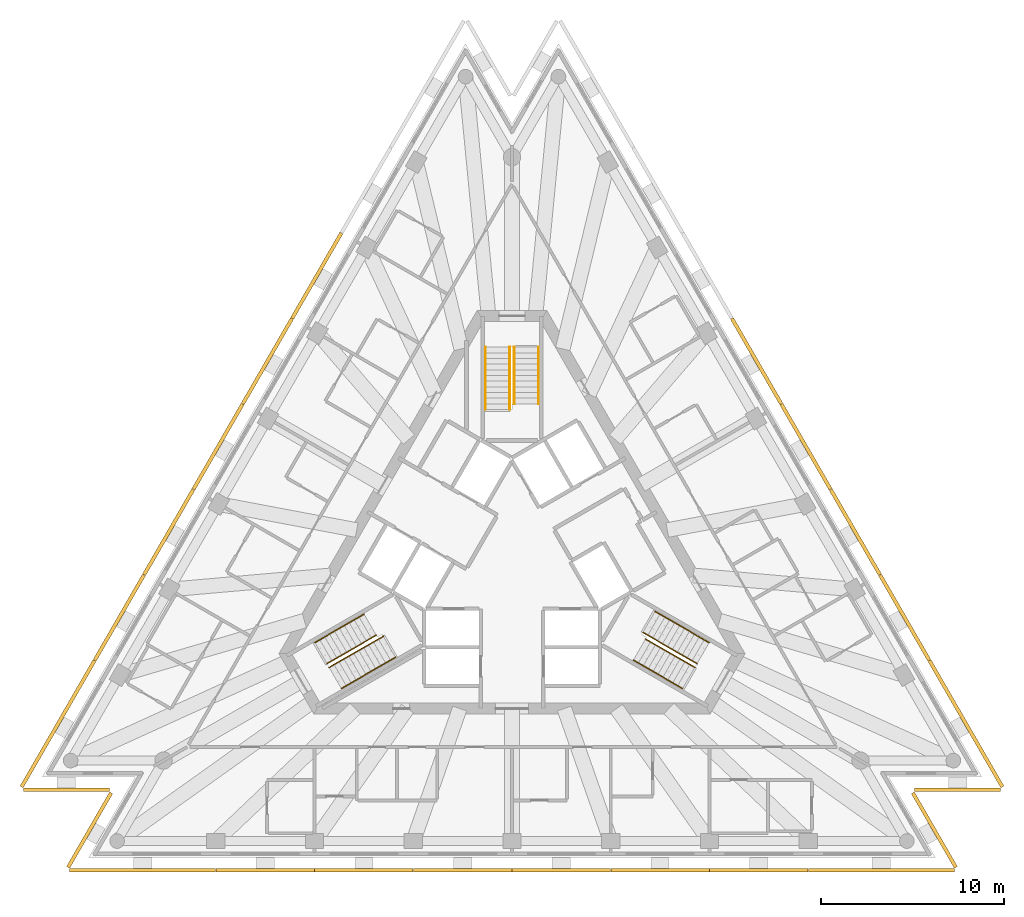
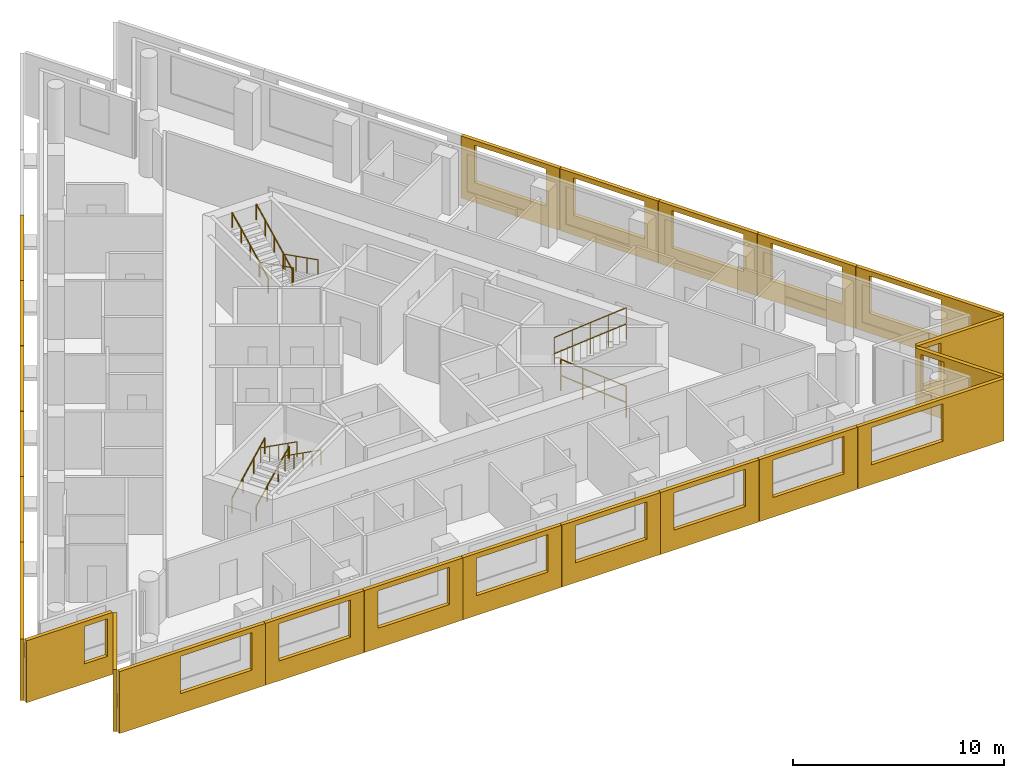
# One storey, part 9 of 10: 23 shading devices, 12 railings, 3 elements without a shape of their own.
"""IFC4 building model written with IfcOpenShell, lengths in metres."""

from ifc_helpers import new_model, si_unit, direction, frame, origin, origin_2d, place, context, subcontext, project, spatial, polyline, circle, outline, extrude, material, layer, layer_set, type_object, element, aggregate, save


model = new_model("IFC4")

# Units and contexts
model_context = context("Model", 3, precision=1e-05, world=origin(), true_north=direction((0.0, 1.0)))
body_context = subcontext(model_context, "Body", "Model", "MODEL_VIEW")
ifc_project = project(units=[si_unit("LENGTHUNIT", "METRE"), si_unit("AREAUNIT", "SQUARE_METRE"), si_unit("VOLUMEUNIT", "CUBIC_METRE"), si_unit("PLANEANGLEUNIT", "RADIAN"), si_unit("MASSUNIT", "GRAM", prefix="KILO")], contexts=[model_context])

# Site, building, storey
site_placement = place(None, origin())
site = spatial("IfcSite", under=ifc_project, at=site_placement, CompositionType="ELEMENT")
building_placement = place(site_placement, origin())
building = spatial("IfcBuilding", under=site, at=building_placement, Name="Triada Interchange Tower", CompositionType="ELEMENT")
storey_placement = place(building_placement, frame((0.0, 0.0, 297.10009765625)))
storey = spatial("IfcBuildingStorey", under=building, at=storey_placement, Name="L70", CompositionType="ELEMENT", Elevation=297.10009765625)

# Shading devices
ifc_material_1 = material(Name="Concrete C50/60 precast", Category="concrete")
ifc_layer_1 = layer(ifc_material_1, 0.02001953125, Name="Exposed aggregate face")
ifc_layer_2 = layer(ifc_material_1, 0.179931640625, Name="Precast concrete screen")
ifc_layer_set = layer_set([ifc_layer_1, ifc_layer_2], Name="Outer skin screen panel 3580")
shading_device_type = type_object("IfcShadingDeviceType", Name="Outer skin screen panel 3580", PredefinedType="SHUTTER", material=ifc_layer_set)
shading_device_1_placement = place(storey_placement, frame((-9.238037109375, 17.780029296875, -0.2900390625), z_axis=(0.0, 0.0, 1.0), x_axis=(-0.499920363698, -0.866071376943, 0.0)))
element("IfcShadingDevice", 1, at=shading_device_1_placement, inside=storey, type_object=shading_device_type, Name="Outer skin screen panel L70 03", PredefinedType="SHUTTER", context=body_context, shape_type="SweptSolid", body=[
    extrude(outline(polyline([(0.0, 0.0), (5.375, 0.0), (5.375, 3.579833984375), (0.0, 3.579833984375), (0.0, 0.0)]), holes=[polyline([(0.737548828125, 1.139892578125), (0.737548828125, 3.300048828125), (4.6376953125, 3.300048828125), (4.6376953125, 1.139892578125), (0.737548828125, 1.139892578125)])]), frame((0.0, 0.0, 0.0), z_axis=(0.0, -1.0, 0.0), x_axis=(1.0, 0.0, 0.0)), (0.0, 0.0, 1.0), 0.199951171875),
])
shading_device_2_placement = place(storey_placement, frame((-11.93505859375, 13.10791015625, -0.2900390625), z_axis=(0.0, 0.0, 1.0), x_axis=(-0.500018712038, -0.866014600115, 0.0)))
element("IfcShadingDevice", 2, at=shading_device_2_placement, inside=storey, type_object=shading_device_type, Name="Outer skin screen panel L70 04", PredefinedType="SHUTTER", context=body_context, shape_type="SweptSolid", body=[
    extrude(outline(polyline([(0.0, 0.0), (5.373779296875, 0.0), (5.373779296875, 3.579833984375), (0.0, 3.579833984375), (0.0, 0.0)]), holes=[polyline([(0.737060546875, 1.139892578125), (0.737060546875, 3.300048828125), (4.63720703125, 3.300048828125), (4.63720703125, 1.139892578125), (0.737060546875, 1.139892578125)])]), frame((0.0, 0.0, 0.0), z_axis=(0.0, -1.0, 0.0), x_axis=(1.0, 0.0, 0.0)), (0.0, 0.0, 1.0), 0.199951171875),
])
shading_device_3_placement = place(storey_placement, frame((-14.632080078125, 8.43603515625, -0.2900390625), z_axis=(0.0, 0.0, 1.0), x_axis=(-0.49999903979, -0.866025958161, 0.0)))
element("IfcShadingDevice", 3, at=shading_device_3_placement, inside=storey, type_object=shading_device_type, Name="Outer skin screen panel L70 05", PredefinedType="SHUTTER", context=body_context, shape_type="SweptSolid", body=[
    extrude(outline(polyline([(0.0, 0.0), (5.3740234375, 0.0), (5.3740234375, 3.579833984375), (0.0, 3.579833984375), (0.0, 0.0)]), holes=[polyline([(0.737548828125, 1.139892578125), (0.737548828125, 3.300048828125), (4.6376953125, 3.300048828125), (4.6376953125, 1.139892578125), (0.737548828125, 1.139892578125)])]), frame((0.0, 0.0, 0.0), z_axis=(0.0, -1.0, 0.0), x_axis=(1.0, 0.0, 0.0)), (0.0, 0.0, 1.0), 0.199951171875),
])
shading_device_4_placement = place(storey_placement, frame((-17.3291015625, 3.764892578125, -0.2900390625), z_axis=(0.0, 0.0, 1.0), x_axis=(-0.500076296064, -0.86598134975, 0.0)))
element("IfcShadingDevice", 4, at=shading_device_4_placement, inside=storey, type_object=shading_device_type, Name="Outer skin screen panel L70 06", PredefinedType="SHUTTER", context=body_context, shape_type="SweptSolid", body=[
    extrude(outline(polyline([(0.0, 0.0), (5.375244140625, 0.0), (5.375244140625, 3.579833984375), (0.0, 3.579833984375), (0.0, 0.0)]), holes=[polyline([(0.737060546875, 1.139892578125), (0.737060546875, 3.300048828125), (4.63720703125, 3.300048828125), (4.63720703125, 1.139892578125), (0.737060546875, 1.139892578125)])]), frame((0.0, 0.0, 0.0), z_axis=(0.0, -1.0, 0.0), x_axis=(1.0, 0.0, 0.0)), (0.0, 0.0, 1.0), 0.199951171875),
])
shading_device_5_placement = place(storey_placement, frame((-20.027099609375, -0.906982421875, -0.2900390625), z_axis=(0.0, 0.0, 1.0), x_axis=(-0.499920363698, -0.866071376943, 0.0)))
element("IfcShadingDevice", 5, at=shading_device_5_placement, inside=storey, type_object=shading_device_type, Name="Outer skin screen panel L70 07", PredefinedType="SHUTTER", context=body_context, shape_type="SweptSolid", body=[
    extrude(outline(polyline([(0.0, 0.0), (5.375, 0.0), (5.375, 3.579833984375), (0.0, 3.579833984375), (0.0, 0.0)]), holes=[polyline([(0.737548828125, 1.139892578125), (0.737548828125, 3.300048828125), (4.6376953125, 3.300048828125), (4.6376953125, 1.139892578125), (0.737548828125, 1.139892578125)])]), frame((0.0, 0.0, 0.0), z_axis=(0.0, -1.0, 0.0), x_axis=(1.0, 0.0, 0.0)), (0.0, 0.0, 1.0), 0.199951171875),
])
shading_device_6_placement = place(storey_placement, frame((-22.72412109375, -5.5791015625, -0.2900390625), z_axis=(0.0, 0.0, 1.0), x_axis=(-0.49999285859, -0.86602952684, 0.0)))
element("IfcShadingDevice", 6, at=shading_device_6_placement, inside=storey, type_object=shading_device_type, Name="Outer skin screen panel L70 08", PredefinedType="SHUTTER", context=body_context, shape_type="SweptSolid", body=[
    extrude(outline(polyline([(0.0, 0.0), (7.9716796875, 0.0), (7.9716796875, 3.579833984375), (0.0, 3.579833984375), (0.0, 0.0)]), holes=[polyline([(0.7373046875, 1.139892578125), (0.7373046875, 3.300048828125), (4.63720703125, 3.300048828125), (4.63720703125, 1.139892578125), (0.7373046875, 1.139892578125)])]), frame((0.0, 0.0, 0.0), z_axis=(0.0, -1.0, 0.0), x_axis=(1.0, 0.0, 0.0)), (0.0, 0.0, 1.0), 0.199951171875),
])
shading_device_7_placement = place(storey_placement, frame((-26.705078125, -12.491943359375, -0.2900390625), z_axis=(0.0, 0.0, 1.0), x_axis=(1.0, 0.0, 0.0)))
element("IfcShadingDevice", 7, at=shading_device_7_placement, inside=storey, type_object=shading_device_type, Name="Outer skin screen panel L70 09", PredefinedType="SHUTTER", context=body_context, shape_type="SweptSolid", body=[
    extrude(outline(polyline([(0.0, 0.0), (4.712158203125, 0.0), (4.712158203125, 3.579833984375), (0.0, 3.579833984375), (0.0, 0.0)]), holes=[polyline([(3.175048828125, 1.139892578125), (3.175048828125, 3.300048828125), (4.412109375, 3.300048828125), (4.412109375, 1.139892578125), (3.175048828125, 1.139892578125)])]), frame((0.0, 0.0, 0.0), z_axis=(0.0, -1.0, 0.0), x_axis=(1.0, 0.0, 0.0)), (0.0, 0.0, 1.0), 0.199951171875),
])
shading_device_8_placement = place(storey_placement, frame((-21.81396484375, -12.801025390625, -0.2900390625), z_axis=(0.0, 0.0, 1.0), x_axis=(-0.500051389167, -0.865995732202, 0.0)))
element("IfcShadingDevice", 8, at=shading_device_8_placement, inside=storey, type_object=shading_device_type, Name="Outer skin screen panel L70 10", PredefinedType="SHUTTER", context=body_context, shape_type="SweptSolid", body=[
    extrude(outline(polyline([(0.0, 0.0), (4.71142578125, 0.0), (4.71142578125, 3.579833984375), (0.0, 3.579833984375), (0.0, 0.0)]), holes=[polyline([(0.300048828125, 1.139892578125), (0.300048828125, 3.300048828125), (1.258056640625, 3.300048828125), (1.258056640625, 1.139892578125), (0.300048828125, 1.139892578125)])]), frame((0.0, 0.0, 0.0), z_axis=(0.0, -1.0, 0.0), x_axis=(1.0, 0.0, 0.0)), (0.0, 0.0, 1.0), 0.199951171875),
])
shading_device_9_placement = place(storey_placement, frame((-24.1650390625, -16.889892578125, -0.2900390625), z_axis=(0.0, 0.0, 1.0), x_axis=(1.0, 0.0, 0.0)))
element("IfcShadingDevice", 9, at=shading_device_9_placement, inside=storey, type_object=shading_device_type, Name="Outer skin screen panel L70 11", PredefinedType="SHUTTER", context=body_context, shape_type="SweptSolid", body=[
    extrude(outline(polyline([(0.0, 0.0), (7.971923828125, 0.0), (7.971923828125, 3.579833984375), (0.0, 3.579833984375), (0.0, 0.0)]), holes=[polyline([(3.3349609375, 1.139892578125), (3.3349609375, 3.300048828125), (7.235107421875, 3.300048828125), (7.235107421875, 1.139892578125), (3.3349609375, 1.139892578125)])]), frame((0.0, 0.0, 0.0), z_axis=(0.0, -1.0, 0.0), x_axis=(1.0, 0.0, 0.0)), (0.0, 0.0, 1.0), 0.199951171875),
])
shading_device_10_placement = place(storey_placement, frame((-16.173095703125, -16.889892578125, -0.2900390625), z_axis=(0.0, 0.0, 1.0), x_axis=(1.0, 0.0, 0.0)))
element("IfcShadingDevice", 10, at=shading_device_10_placement, inside=storey, type_object=shading_device_type, Name="Outer skin screen panel L70 12", PredefinedType="SHUTTER", context=body_context, shape_type="SweptSolid", body=[
    extrude(outline(polyline([(0.0, 0.0), (5.375, 0.0), (5.375, 3.579833984375), (0.0, 3.579833984375), (0.0, 0.0)]), holes=[polyline([(0.73681640625, 1.139892578125), (0.73681640625, 3.300048828125), (4.63671875, 3.300048828125), (4.63671875, 1.139892578125), (0.73681640625, 1.139892578125)])]), frame((0.0, 0.0, 0.0), z_axis=(0.0, -1.0, 0.0), x_axis=(1.0, 0.0, 0.0)), (0.0, 0.0, 1.0), 0.199951171875),
])
shading_device_11_placement = place(storey_placement, frame((-10.779052734375, -16.889892578125, -0.2900390625), z_axis=(0.0, 0.0, 1.0), x_axis=(1.0, 0.0, 0.0)))
element("IfcShadingDevice", 11, at=shading_device_11_placement, inside=storey, type_object=shading_device_type, Name="Outer skin screen panel L70 13", PredefinedType="SHUTTER", context=body_context, shape_type="SweptSolid", body=[
    extrude(outline(polyline([(0.0, 0.0), (5.375, 0.0), (5.375, 3.579833984375), (0.0, 3.579833984375), (0.0, 0.0)]), holes=[polyline([(0.737548828125, 1.139892578125), (0.737548828125, 3.300048828125), (4.637451171875, 3.300048828125), (4.637451171875, 1.139892578125), (0.737548828125, 1.139892578125)])]), frame((0.0, 0.0, 0.0), z_axis=(0.0, -1.0, 0.0), x_axis=(1.0, 0.0, 0.0)), (0.0, 0.0, 1.0), 0.199951171875),
])
shading_device_12_placement = place(storey_placement, frame((-5.384033203125, -16.889892578125, -0.2900390625), z_axis=(0.0, 0.0, 1.0), x_axis=(1.0, 0.0, 0.0)))
element("IfcShadingDevice", 12, at=shading_device_12_placement, inside=storey, type_object=shading_device_type, Name="Outer skin screen panel L70 14", PredefinedType="SHUTTER", context=body_context, shape_type="SweptSolid", body=[
    extrude(outline(polyline([(0.0, 0.0), (5.3740234375, 0.0), (5.3740234375, 3.579833984375), (0.0, 3.579833984375), (0.0, 0.0)]), holes=[polyline([(0.7373046875, 1.139892578125), (0.7373046875, 3.300048828125), (4.63720703125, 3.300048828125), (4.63720703125, 1.139892578125), (0.7373046875, 1.139892578125)])]), frame((0.0, 0.0, 0.0), z_axis=(0.0, -1.0, 0.0), x_axis=(1.0, 0.0, 0.0)), (0.0, 0.0, 1.0), 0.199951171875),
])
shading_device_13_placement = place(storey_placement, frame((0.010009765625, -16.889892578125, -0.2900390625), z_axis=(0.0, 0.0, 1.0), x_axis=(1.0, 0.0, 0.0)))
element("IfcShadingDevice", 13, at=shading_device_13_placement, inside=storey, type_object=shading_device_type, Name="Outer skin screen panel L70 15", PredefinedType="SHUTTER", context=body_context, shape_type="SweptSolid", body=[
    extrude(outline(polyline([(0.0, 0.0), (5.3740234375, 0.0), (5.3740234375, 3.579833984375), (0.0, 3.579833984375), (0.0, 0.0)]), holes=[polyline([(0.737060546875, 1.139892578125), (0.737060546875, 3.300048828125), (4.636962890625, 3.300048828125), (4.636962890625, 1.139892578125), (0.737060546875, 1.139892578125)])]), frame((0.0, 0.0, 0.0), z_axis=(0.0, -1.0, 0.0), x_axis=(1.0, 0.0, 0.0)), (0.0, 0.0, 1.0), 0.199951171875),
])
shading_device_14_placement = place(storey_placement, frame((5.404052734375, -16.889892578125, -0.2900390625), z_axis=(0.0, 0.0, 1.0), x_axis=(1.0, 0.0, 0.0)))
element("IfcShadingDevice", 14, at=shading_device_14_placement, inside=storey, type_object=shading_device_type, Name="Outer skin screen panel L70 16", PredefinedType="SHUTTER", context=body_context, shape_type="SweptSolid", body=[
    extrude(outline(polyline([(0.0, 0.0), (5.375, 0.0), (5.375, 3.579833984375), (0.0, 3.579833984375), (0.0, 0.0)]), holes=[polyline([(0.73681640625, 1.139892578125), (0.73681640625, 3.300048828125), (4.63671875, 3.300048828125), (4.63671875, 1.139892578125), (0.73681640625, 1.139892578125)])]), frame((0.0, 0.0, 0.0), z_axis=(0.0, -1.0, 0.0), x_axis=(1.0, 0.0, 0.0)), (0.0, 0.0, 1.0), 0.199951171875),
])
shading_device_15_placement = place(storey_placement, frame((10.798095703125, -16.889892578125, -0.2900390625), z_axis=(0.0, 0.0, 1.0), x_axis=(1.0, 0.0, 0.0)))
element("IfcShadingDevice", 15, at=shading_device_15_placement, inside=storey, type_object=shading_device_type, Name="Outer skin screen panel L70 17", PredefinedType="SHUTTER", context=body_context, shape_type="SweptSolid", body=[
    extrude(outline(polyline([(0.0, 0.0), (5.375, 0.0), (5.375, 3.579833984375), (0.0, 3.579833984375), (0.0, 0.0)]), holes=[polyline([(0.737548828125, 1.139892578125), (0.737548828125, 3.300048828125), (4.637451171875, 3.300048828125), (4.637451171875, 1.139892578125), (0.737548828125, 1.139892578125)])]), frame((0.0, 0.0, 0.0), z_axis=(0.0, -1.0, 0.0), x_axis=(1.0, 0.0, 0.0)), (0.0, 0.0, 1.0), 0.199951171875),
])
shading_device_16_placement = place(storey_placement, frame((16.193115234375, -16.889892578125, -0.2900390625), z_axis=(0.0, 0.0, 1.0), x_axis=(1.0, 0.0, 0.0)))
element("IfcShadingDevice", 16, at=shading_device_16_placement, inside=storey, type_object=shading_device_type, Name="Outer skin screen panel L70 18", PredefinedType="SHUTTER", context=body_context, shape_type="SweptSolid", body=[
    extrude(outline(polyline([(0.0, 0.0), (7.971923828125, 0.0), (7.971923828125, 3.579833984375), (0.0, 3.579833984375), (0.0, 0.0)]), holes=[polyline([(0.7373046875, 1.139892578125), (0.7373046875, 3.300048828125), (4.63720703125, 3.300048828125), (4.63720703125, 1.139892578125), (0.7373046875, 1.139892578125)])]), frame((0.0, 0.0, 0.0), z_axis=(0.0, -1.0, 0.0), x_axis=(1.0, 0.0, 0.0)), (0.0, 0.0, 1.0), 0.199951171875),
])
shading_device_17_placement = place(storey_placement, frame((24.169921875, -16.881103515625, -0.2900390625), z_axis=(0.0, 0.0, 1.0), x_axis=(-0.500051389167, 0.865995732202, 0.0)))
element("IfcShadingDevice", 17, at=shading_device_17_placement, inside=storey, type_object=shading_device_type, Name="Outer skin screen panel L70 19", PredefinedType="SHUTTER", context=body_context, shape_type="SweptSolid", body=[
    extrude(outline(polyline([(0.0, 0.0), (4.71142578125, 0.0), (4.71142578125, 3.579833984375), (0.0, 3.579833984375), (0.0, 0.0)]), holes=[polyline([(3.17529296875, 1.139892578125), (3.17529296875, 3.300048828125), (4.41162109375, 3.300048828125), (4.41162109375, 1.139892578125), (3.17529296875, 1.139892578125)])]), frame((0.0, 0.0, 0.0), z_axis=(0.0, -1.0, 0.0), x_axis=(1.0, 0.0, 0.0)), (0.0, 0.0, 1.0), 0.199951171875),
])
shading_device_18_placement = place(storey_placement, frame((21.992919921875, -12.491943359375, -0.2900390625), z_axis=(0.0, 0.0, 1.0), x_axis=(1.0, 0.0, 0.0)))
element("IfcShadingDevice", 18, at=shading_device_18_placement, inside=storey, type_object=shading_device_type, Name="Outer skin screen panel L70 20", PredefinedType="SHUTTER", context=body_context, shape_type="SweptSolid", body=[
    extrude(outline(polyline([(0.0, 0.0), (4.712158203125, 0.0), (4.712158203125, 3.579833984375), (0.0, 3.579833984375), (0.0, 0.0)]), holes=[polyline([(0.300048828125, 1.139892578125), (0.300048828125, 3.300048828125), (1.258056640625, 3.300048828125), (1.258056640625, 1.139892578125), (0.300048828125, 1.139892578125)])]), frame((0.0, 0.0, 0.0), z_axis=(0.0, -1.0, 0.0), x_axis=(1.0, 0.0, 0.0)), (0.0, 0.0, 1.0), 0.199951171875),
])
shading_device_19_placement = place(storey_placement, frame((26.7099609375, -12.48291015625, -0.2900390625), z_axis=(0.0, 0.0, 1.0), x_axis=(-0.49999285859, 0.86602952684, 0.0)))
element("IfcShadingDevice", 19, at=shading_device_19_placement, inside=storey, type_object=shading_device_type, Name="Outer skin screen panel L70 21", PredefinedType="SHUTTER", context=body_context, shape_type="SweptSolid", body=[
    extrude(outline(polyline([(0.0, 0.0), (7.9716796875, 0.0), (7.9716796875, 3.579833984375), (0.0, 3.579833984375), (0.0, 0.0)]), holes=[polyline([(3.335205078125, 1.139892578125), (3.335205078125, 3.300048828125), (7.2353515625, 3.300048828125), (7.2353515625, 1.139892578125), (3.335205078125, 1.139892578125)])]), frame((0.0, 0.0, 0.0), z_axis=(0.0, -1.0, 0.0), x_axis=(1.0, 0.0, 0.0)), (0.0, 0.0, 1.0), 0.199951171875),
])
shading_device_20_placement = place(storey_placement, frame((22.714111328125, -5.56201171875, -0.2900390625), z_axis=(0.0, 0.0, 1.0), x_axis=(-0.499920363698, 0.866071376943, 0.0)))
element("IfcShadingDevice", 20, at=shading_device_20_placement, inside=storey, type_object=shading_device_type, Name="Outer skin screen panel L70 22", PredefinedType="SHUTTER", context=body_context, shape_type="SweptSolid", body=[
    extrude(outline(polyline([(0.0, 0.0), (5.375, 0.0), (5.375, 3.579833984375), (0.0, 3.579833984375), (0.0, 0.0)]), holes=[polyline([(0.73681640625, 1.139892578125), (0.73681640625, 3.300048828125), (4.63671875, 3.300048828125), (4.63671875, 1.139892578125), (0.73681640625, 1.139892578125)])]), frame((0.0, 0.0, 0.0), z_axis=(0.0, -1.0, 0.0), x_axis=(1.0, 0.0, 0.0)), (0.0, 0.0, 1.0), 0.199951171875),
])
shading_device_21_placement = place(storey_placement, frame((20.01708984375, -0.889892578125, -0.2900390625), z_axis=(0.0, 0.0, 1.0), x_axis=(-0.500076296064, 0.86598134975, 0.0)))
element("IfcShadingDevice", 21, at=shading_device_21_placement, inside=storey, type_object=shading_device_type, Name="Outer skin screen panel L70 23", PredefinedType="SHUTTER", context=body_context, shape_type="SweptSolid", body=[
    extrude(outline(polyline([(0.0, 0.0), (5.375244140625, 0.0), (5.375244140625, 3.579833984375), (0.0, 3.579833984375), (0.0, 0.0)]), holes=[polyline([(0.7373046875, 1.139892578125), (0.7373046875, 3.300048828125), (4.63720703125, 3.300048828125), (4.63720703125, 1.139892578125), (0.7373046875, 1.139892578125)])]), frame((0.0, 0.0, 0.0), z_axis=(0.0, -1.0, 0.0), x_axis=(1.0, 0.0, 0.0)), (0.0, 0.0, 1.0), 0.199951171875),
])
shading_device_22_placement = place(storey_placement, frame((17.319091796875, 3.781982421875, -0.2900390625), z_axis=(0.0, 0.0, 1.0), x_axis=(-0.49999903979, 0.866025958161, 0.0)))
element("IfcShadingDevice", 22, at=shading_device_22_placement, inside=storey, type_object=shading_device_type, Name="Outer skin screen panel L70 24", PredefinedType="SHUTTER", context=body_context, shape_type="SweptSolid", body=[
    extrude(outline(polyline([(0.0, 0.0), (5.3740234375, 0.0), (5.3740234375, 3.579833984375), (0.0, 3.579833984375), (0.0, 0.0)]), holes=[polyline([(0.73681640625, 1.139892578125), (0.73681640625, 3.300048828125), (4.63671875, 3.300048828125), (4.63671875, 1.139892578125), (0.73681640625, 1.139892578125)])]), frame((0.0, 0.0, 0.0), z_axis=(0.0, -1.0, 0.0), x_axis=(1.0, 0.0, 0.0)), (0.0, 0.0, 1.0), 0.199951171875),
])
shading_device_23_placement = place(storey_placement, frame((14.6220703125, 8.4541015625, -0.2900390625), z_axis=(0.0, 0.0, 1.0), x_axis=(-0.500018712038, 0.866014600115, 0.0)))
element("IfcShadingDevice", 23, at=shading_device_23_placement, inside=storey, type_object=shading_device_type, Name="Outer skin screen panel L70 25", PredefinedType="SHUTTER", context=body_context, shape_type="SweptSolid", body=[
    extrude(outline(polyline([(0.0, 0.0), (5.373779296875, 0.0), (5.373779296875, 3.579833984375), (0.0, 3.579833984375), (0.0, 0.0)]), holes=[polyline([(0.7373046875, 1.139892578125), (0.7373046875, 3.300048828125), (4.63720703125, 3.300048828125), (4.63720703125, 1.139892578125), (0.7373046875, 1.139892578125)])]), frame((0.0, 0.0, 0.0), z_axis=(0.0, -1.0, 0.0), x_axis=(1.0, 0.0, 0.0)), (0.0, 0.0, 1.0), 0.199951171875),
])

# Stair, railings
ifc_material_2 = material(Name="Concrete C35/45", Category="concrete")
stair_type = type_object("IfcStairType", Name="HALF TURN STAIR 1400", PredefinedType="HALF_TURN_STAIR", material=ifc_material_2)
stair_1_placement = place(storey_placement, origin())
stair_1 = element("IfcStair", 24, at=stair_1_placement, inside=storey, type_object=stair_type, Name="Exit stair S68-1", PredefinedType="HALF_TURN_STAIR")
ifc_material_3 = material(Name="Stainless steel 1.4301", Category="steel")
railing_type = type_object("IfcRailingType", Name="STAIR HANDRAIL 900", PredefinedType="HANDRAIL", material=ifc_material_3)
railing_1_placement = place(storey_placement, frame((1.449951171875, 11.60009765625, 0.156494140625)))
railing_1 = element("IfcRailing", 25, at=railing_1_placement, type_object=railing_type, Name="Handrail S68-1 1W", PredefinedType="HANDRAIL", context=body_context, shape_type="SweptSolid", body=[
    extrude(circle(Radius=0.02392578125, at=origin_2d()), frame((0.0, 0.0, 0.8759765625), z_axis=(0.0, -0.89267693942, 0.450697106522), x_axis=(1.0, 0.0, 0.0)), (0.0, 0.0, 1.0), 3.472900390625),
    extrude(circle(Radius=0.02099609375, at=origin_2d()), origin(), (0.0, 0.0, 1.0), 0.851806640625),
    extrude(circle(Radius=0.02099609375, at=origin_2d()), frame((0.0, -1.033447265625, 0.521728515625)), (0.0, 0.0, 1.0), 0.851806640625),
    extrude(circle(Radius=0.02099609375, at=origin_2d()), frame((0.0, -2.066650390625, 1.04345703125)), (0.0, 0.0, 1.0), 0.851806640625),
    extrude(circle(Radius=0.02099609375, at=origin_2d()), frame((0.0, -3.10009765625, 1.565185546875)), (0.0, 0.0, 1.0), 0.851806640625),
])
railing_2_placement = place(storey_placement, frame((0.1201171875, 11.60009765625, 0.156494140625)))
railing_2 = element("IfcRailing", 26, at=railing_2_placement, type_object=railing_type, Name="Handrail S68-1 1C", PredefinedType="HANDRAIL", context=body_context, shape_type="SweptSolid", body=[
    extrude(circle(Radius=0.02392578125, at=origin_2d()), frame((0.0, 0.0, 0.8759765625), z_axis=(0.0, -0.89267693942, 0.450697106522), x_axis=(1.0, 0.0, 0.0)), (0.0, 0.0, 1.0), 3.472900390625),
    extrude(circle(Radius=0.02099609375, at=origin_2d()), origin(), (0.0, 0.0, 1.0), 0.851806640625),
    extrude(circle(Radius=0.02099609375, at=origin_2d()), frame((0.0, -1.033447265625, 0.521728515625)), (0.0, 0.0, 1.0), 0.851806640625),
    extrude(circle(Radius=0.02099609375, at=origin_2d()), frame((0.0, -2.066650390625, 1.04345703125)), (0.0, 0.0, 1.0), 0.851806640625),
    extrude(circle(Radius=0.02099609375, at=origin_2d()), frame((0.0, -3.10009765625, 1.565185546875)), (0.0, 0.0, 1.0), 0.851806640625),
])
railing_3_placement = place(storey_placement, frame((-1.449951171875, 8.18994140625, 1.878173828125)))
railing_3 = element("IfcRailing", 27, at=railing_3_placement, type_object=railing_type, Name="Handrail S68-1 2W", PredefinedType="HANDRAIL", context=body_context, shape_type="SweptSolid", body=[
    extrude(circle(Radius=0.02392578125, at=origin_2d()), frame((0.0, 0.0, 0.8759765625), z_axis=(0.0, 0.892682106939, 0.450686871287), x_axis=(-1.0, 0.0, 0.0)), (0.0, 0.0, 1.0), 3.820068359375),
    extrude(circle(Radius=0.02099609375, at=origin_2d()), origin(), (0.0, 0.0, 1.0), 0.851806640625),
    extrude(circle(Radius=0.02099609375, at=origin_2d()), frame((0.0, 0.8525390625, 0.430419921875)), (0.0, 0.0, 1.0), 0.851806640625),
    extrude(circle(Radius=0.02099609375, at=origin_2d()), frame((0.0, 1.705078125, 0.86083984375)), (0.0, 0.0, 1.0), 0.851806640625),
    extrude(circle(Radius=0.02099609375, at=origin_2d()), frame((0.0, 2.5576171875, 1.291259765625)), (0.0, 0.0, 1.0), 0.851806640625),
    extrude(circle(Radius=0.02099609375, at=origin_2d()), frame((0.0, 3.41015625, 1.7216796875)), (0.0, 0.0, 1.0), 0.851806640625),
])
railing_4_placement = place(storey_placement, frame((-0.1201171875, 8.18994140625, 1.878173828125)))
railing_4 = element("IfcRailing", 28, at=railing_4_placement, type_object=railing_type, Name="Handrail S68-1 2C", PredefinedType="HANDRAIL", context=body_context, shape_type="SweptSolid", body=[
    extrude(circle(Radius=0.02392578125, at=origin_2d()), frame((0.0, 0.0, 0.8759765625), z_axis=(0.0, 0.892682106939, 0.450686871287), x_axis=(-1.0, 0.0, 0.0)), (0.0, 0.0, 1.0), 3.820068359375),
    extrude(circle(Radius=0.02099609375, at=origin_2d()), origin(), (0.0, 0.0, 1.0), 0.851806640625),
    extrude(circle(Radius=0.02099609375, at=origin_2d()), frame((0.0, 0.8525390625, 0.430419921875)), (0.0, 0.0, 1.0), 0.851806640625),
    extrude(circle(Radius=0.02099609375, at=origin_2d()), frame((0.0, 1.705078125, 0.86083984375)), (0.0, 0.0, 1.0), 0.851806640625),
    extrude(circle(Radius=0.02099609375, at=origin_2d()), frame((0.0, 2.5576171875, 1.291259765625)), (0.0, 0.0, 1.0), 0.851806640625),
    extrude(circle(Radius=0.02099609375, at=origin_2d()), frame((0.0, 3.41015625, 1.7216796875)), (0.0, 0.0, 1.0), 0.851806640625),
])
aggregate(stair_1, [railing_1, railing_2, railing_3, railing_4])

stair_2_placement = place(storey_placement, origin())
stair_2 = element("IfcStair", 29, at=stair_2_placement, inside=storey, type_object=stair_type, Name="Exit stair S68-2", PredefinedType="HALF_TURN_STAIR")
railing_5_placement = place(storey_placement, frame((-10.77099609375, -4.5439453125, 0.156494140625)))
railing_5 = element("IfcRailing", 30, at=railing_5_placement, type_object=railing_type, Name="Handrail S68-2 1W", PredefinedType="HANDRAIL", context=body_context, shape_type="SweptSolid", body=[
    extrude(circle(Radius=0.02392578125, at=origin_2d()), frame((0.0, 0.0, 0.8759765625), z_axis=(0.773115112249, 0.446309133267, 0.4506674836), x_axis=(-0.499958760481, 0.866049212123, 0.0)), (0.0, 0.0, 1.0), 3.47314453125),
    extrude(circle(Radius=0.02099609375, at=origin_2d()), origin(), (0.0, 0.0, 1.0), 0.851806640625),
    extrude(circle(Radius=0.02099609375, at=origin_2d()), frame((0.89501953125, 0.5166015625, 0.521728515625)), (0.0, 0.0, 1.0), 0.851806640625),
    extrude(circle(Radius=0.02099609375, at=origin_2d()), frame((1.7900390625, 1.033447265625, 1.04345703125)), (0.0, 0.0, 1.0), 0.851806640625),
    extrude(circle(Radius=0.02099609375, at=origin_2d()), frame((2.68505859375, 1.550048828125, 1.565185546875)), (0.0, 0.0, 1.0), 0.851806640625),
])
railing_6_placement = place(storey_placement, frame((-10.10595703125, -5.696044921875, 0.156494140625)))
railing_6 = element("IfcRailing", 31, at=railing_6_placement, type_object=railing_type, Name="Handrail S68-2 1C", PredefinedType="HANDRAIL", context=body_context, shape_type="SweptSolid", body=[
    extrude(circle(Radius=0.02392578125, at=origin_2d()), frame((0.0, 0.0, 0.8759765625), z_axis=(0.773115112249, 0.446309133267, 0.4506674836), x_axis=(-0.499958760481, 0.866049212123, 0.0)), (0.0, 0.0, 1.0), 3.47314453125),
    extrude(circle(Radius=0.02099609375, at=origin_2d()), origin(), (0.0, 0.0, 1.0), 0.851806640625),
    extrude(circle(Radius=0.02099609375, at=origin_2d()), frame((0.89501953125, 0.5166015625, 0.521728515625)), (0.0, 0.0, 1.0), 0.851806640625),
    extrude(circle(Radius=0.02099609375, at=origin_2d()), frame((1.7900390625, 1.033447265625, 1.04345703125)), (0.0, 0.0, 1.0), 0.851806640625),
    extrude(circle(Radius=0.02099609375, at=origin_2d()), frame((2.68505859375, 1.550048828125, 1.565185546875)), (0.0, 0.0, 1.0), 0.851806640625),
])
railing_7_placement = place(storey_placement, frame((-6.367919921875, -5.35107421875, 1.878173828125)))
railing_7 = element("IfcRailing", 32, at=railing_7_placement, type_object=railing_type, Name="Handrail S68-2 2W", PredefinedType="HANDRAIL", context=body_context, shape_type="SweptSolid", body=[
    extrude(circle(Radius=0.02392578125, at=origin_2d()), frame((0.0, 0.0, 0.8759765625), z_axis=(-0.773090904651, -0.446304049866, 0.450714042625), x_axis=(0.499966231165, -0.866044899352, 0.0)), (0.0, 0.0, 1.0), 3.81982421875),
    extrude(circle(Radius=0.02099609375, at=origin_2d()), origin(), (0.0, 0.0, 1.0), 0.851806640625),
    extrude(circle(Radius=0.02099609375, at=origin_2d()), frame((-0.73828125, -0.42626953125, 0.430419921875)), (0.0, 0.0, 1.0), 0.851806640625),
    extrude(circle(Radius=0.02099609375, at=origin_2d()), frame((-1.4765625, -0.8525390625, 0.86083984375)), (0.0, 0.0, 1.0), 0.851806640625),
    extrude(circle(Radius=0.02099609375, at=origin_2d()), frame((-2.21484375, -1.278564453125, 1.291259765625)), (0.0, 0.0, 1.0), 0.851806640625),
    extrude(circle(Radius=0.02099609375, at=origin_2d()), frame((-2.953125, -1.704833984375, 1.7216796875)), (0.0, 0.0, 1.0), 0.851806640625),
])
railing_8_placement = place(storey_placement, frame((-7.032958984375, -4.198974609375, 1.878173828125)))
railing_8 = element("IfcRailing", 33, at=railing_8_placement, type_object=railing_type, Name="Handrail S68-2 2C", PredefinedType="HANDRAIL", context=body_context, shape_type="SweptSolid", body=[
    extrude(circle(Radius=0.02392578125, at=origin_2d()), frame((0.0, 0.0, 0.8759765625), z_axis=(-0.773068851904, -0.446355229968, 0.450701185816), x_axis=(0.50001992892, -0.866013897511, 0.0)), (0.0, 0.0, 1.0), 3.820068359375),
    extrude(circle(Radius=0.02099609375, at=origin_2d()), origin(), (0.0, 0.0, 1.0), 0.851806640625),
    extrude(circle(Radius=0.02099609375, at=origin_2d()), frame((-0.73828125, -0.42626953125, 0.430419921875)), (0.0, 0.0, 1.0), 0.851806640625),
    extrude(circle(Radius=0.02099609375, at=origin_2d()), frame((-1.4765625, -0.8525390625, 0.86083984375)), (0.0, 0.0, 1.0), 0.851806640625),
    extrude(circle(Radius=0.02099609375, at=origin_2d()), frame((-2.21484375, -1.27880859375, 1.291259765625)), (0.0, 0.0, 1.0), 0.851806640625),
    extrude(circle(Radius=0.02099609375, at=origin_2d()), frame((-2.953125, -1.705078125, 1.7216796875)), (0.0, 0.0, 1.0), 0.851806640625),
])
aggregate(stair_2, [railing_5, railing_6, railing_7, railing_8])

stair_3_placement = place(storey_placement, origin())
stair_3 = element("IfcStair", 34, at=stair_3_placement, inside=storey, type_object=stair_type, Name="Exit stair S68-3", PredefinedType="HALF_TURN_STAIR")
railing_9_placement = place(storey_placement, frame((9.321044921875, -7.055908203125, 0.156494140625)))
railing_9 = element("IfcRailing", 35, at=railing_9_placement, type_object=railing_type, Name="Handrail S68-3 1W", PredefinedType="HANDRAIL", context=body_context, shape_type="SweptSolid", body=[
    extrude(circle(Radius=0.02392578125, at=origin_2d()), frame((0.0, 0.0, 0.8759765625), z_axis=(-0.773139366989, 0.446252837029, 0.450681622274), x_axis=(-0.499899694197, -0.866083307622, 0.0)), (0.0, 0.0, 1.0), 3.472900390625),
    extrude(circle(Radius=0.02099609375, at=origin_2d()), origin(), (0.0, 0.0, 1.0), 0.851806640625),
    extrude(circle(Radius=0.02099609375, at=origin_2d()), frame((-0.89501953125, 0.5166015625, 0.521728515625)), (0.0, 0.0, 1.0), 0.851806640625),
    extrude(circle(Radius=0.02099609375, at=origin_2d()), frame((-1.7900390625, 1.033203125, 1.04345703125)), (0.0, 0.0, 1.0), 0.851806640625),
    extrude(circle(Radius=0.02099609375, at=origin_2d()), frame((-2.68505859375, 1.5498046875, 1.565185546875)), (0.0, 0.0, 1.0), 0.851806640625),
])
railing_10_placement = place(storey_placement, frame((9.986083984375, -5.904052734375, 0.156494140625)))
railing_10 = element("IfcRailing", 36, at=railing_10_placement, type_object=railing_type, Name="Handrail S68-3 1C", PredefinedType="HANDRAIL", context=body_context, shape_type="SweptSolid", body=[
    extrude(circle(Radius=0.02392578125, at=origin_2d()), frame((0.0, 0.0, 0.8759765625), z_axis=(-0.773115112249, 0.446309133267, 0.4506674836), x_axis=(-0.499958760481, -0.866049212123, 0.0)), (0.0, 0.0, 1.0), 3.47314453125),
    extrude(circle(Radius=0.02099609375, at=origin_2d()), origin(), (0.0, 0.0, 1.0), 0.851806640625),
    extrude(circle(Radius=0.02099609375, at=origin_2d()), frame((-0.89501953125, 0.5166015625, 0.521728515625)), (0.0, 0.0, 1.0), 0.851806640625),
    extrude(circle(Radius=0.02099609375, at=origin_2d()), frame((-1.7900390625, 1.033447265625, 1.04345703125)), (0.0, 0.0, 1.0), 0.851806640625),
    extrude(circle(Radius=0.02099609375, at=origin_2d()), frame((-2.68505859375, 1.550048828125, 1.565185546875)), (0.0, 0.0, 1.0), 0.851806640625),
])
railing_11_placement = place(storey_placement, frame((7.818115234375, -2.839111328125, 1.878173828125)))
railing_11 = element("IfcRailing", 37, at=railing_11_placement, type_object=railing_type, Name="Handrail S68-3 2W", PredefinedType="HANDRAIL", context=body_context, shape_type="SweptSolid", body=[
    extrude(circle(Radius=0.02392578125, at=origin_2d()), frame((0.0, 0.0, 0.8759765625), z_axis=(0.773065188623, -0.4463261027, 0.450736313367), x_axis=(0.499997234054, 0.866027000698, 0.0)), (0.0, 0.0, 1.0), 3.81982421875),
    extrude(circle(Radius=0.02099609375, at=origin_2d()), origin(), (0.0, 0.0, 1.0), 0.851806640625),
    extrude(circle(Radius=0.02099609375, at=origin_2d()), frame((0.73828125, -0.42626953125, 0.430419921875)), (0.0, 0.0, 1.0), 0.851806640625),
    extrude(circle(Radius=0.02099609375, at=origin_2d()), frame((1.4765625, -0.8525390625, 0.86083984375)), (0.0, 0.0, 1.0), 0.851806640625),
    extrude(circle(Radius=0.02099609375, at=origin_2d()), frame((2.214599609375, -1.278564453125, 1.291259765625)), (0.0, 0.0, 1.0), 0.851806640625),
    extrude(circle(Radius=0.02099609375, at=origin_2d()), frame((2.952880859375, -1.704833984375, 1.7216796875)), (0.0, 0.0, 1.0), 0.851806640625),
])
railing_12_placement = place(storey_placement, frame((7.153076171875, -3.990966796875, 1.878173828125)))
railing_12 = element("IfcRailing", 38, at=railing_12_placement, type_object=railing_type, Name="Handrail S68-3 2C", PredefinedType="HANDRAIL", context=body_context, shape_type="SweptSolid", body=[
    extrude(circle(Radius=0.02392578125, at=origin_2d()), frame((0.0, 0.0, 0.8759765625), z_axis=(0.773043134431, -0.446377284073, 0.450723454651), x_axis=(0.500050932918, 0.865995995653, 0.0)), (0.0, 0.0, 1.0), 3.81982421875),
    extrude(circle(Radius=0.02099609375, at=origin_2d()), origin(), (0.0, 0.0, 1.0), 0.851806640625),
    extrude(circle(Radius=0.02099609375, at=origin_2d()), frame((0.73828125, -0.42626953125, 0.430419921875)), (0.0, 0.0, 1.0), 0.851806640625),
    extrude(circle(Radius=0.02099609375, at=origin_2d()), frame((1.4765625, -0.8525390625, 0.86083984375)), (0.0, 0.0, 1.0), 0.851806640625),
    extrude(circle(Radius=0.02099609375, at=origin_2d()), frame((2.214599609375, -1.27880859375, 1.291259765625)), (0.0, 0.0, 1.0), 0.851806640625),
    extrude(circle(Radius=0.02099609375, at=origin_2d()), frame((2.952880859375, -1.705078125, 1.7216796875)), (0.0, 0.0, 1.0), 0.851806640625),
])
aggregate(stair_3, [railing_9, railing_10, railing_11, railing_12])

save(model, "model.ifc")
